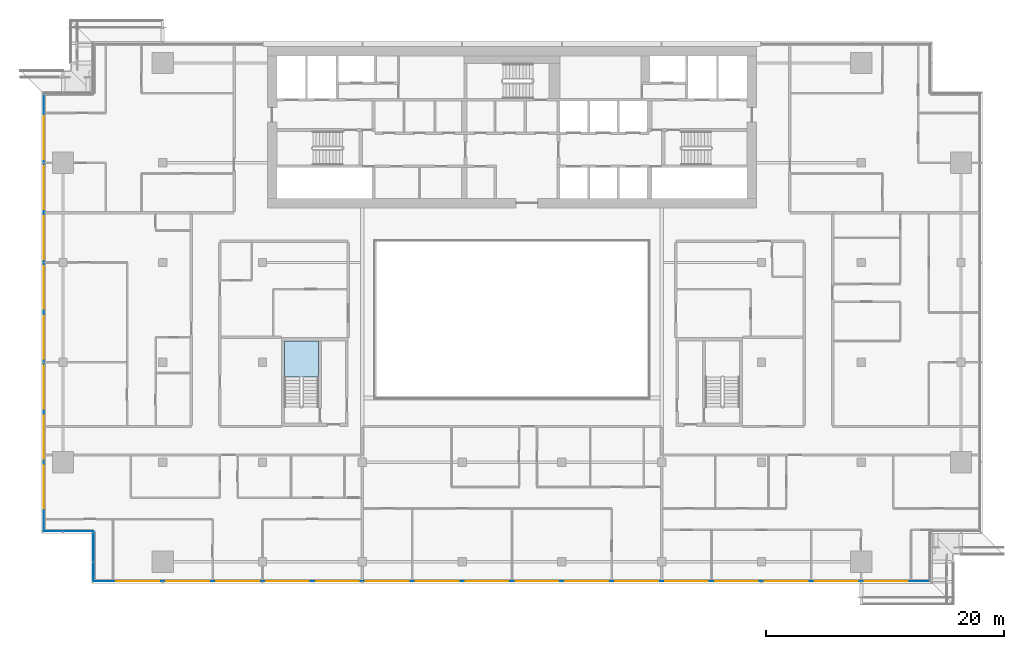
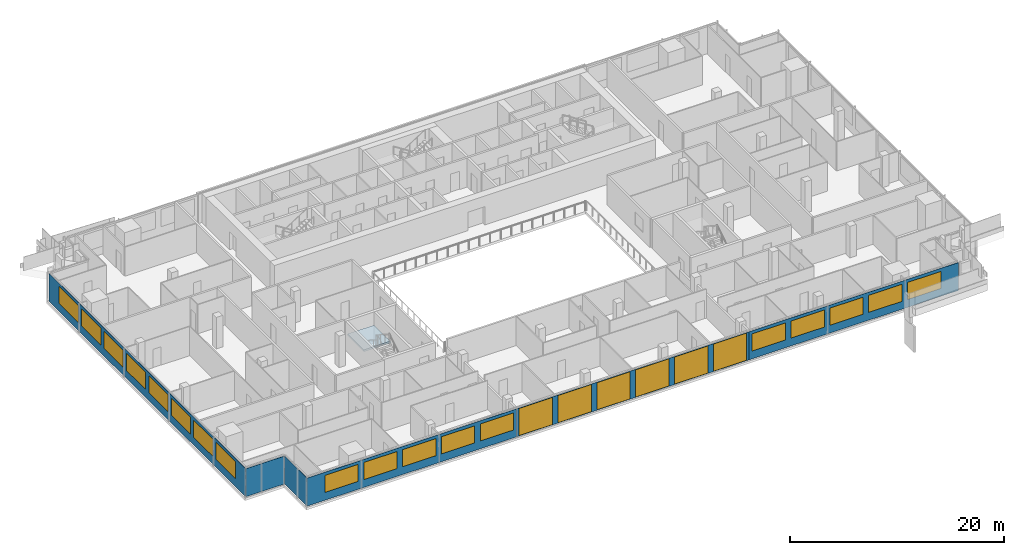
# One storey, part 16 of 30: 24 windows, 6 plates, 1 slab, 24 openings, 5 elements without a shape of their own.
"""IFC4 building model written with IfcOpenShell, lengths in metres."""

from ifc_helpers import new_model, si_unit, direction, frame, frame_2d, origin, place, context, subcontext, project, spatial, polyline, rectangle, outline, extrude, material, layer, layer_set, type_object, element, fill, aggregate, save


model = new_model("IFC4")

# Units and contexts
model_context = context("Model", 3, precision=1e-05, world=origin(), true_north=direction((0.0, 1.0)))
body_context = subcontext(model_context, "Body", "Model", "MODEL_VIEW")
ifc_project = project(units=[si_unit("LENGTHUNIT", "METRE"), si_unit("AREAUNIT", "SQUARE_METRE"), si_unit("VOLUMEUNIT", "CUBIC_METRE"), si_unit("PLANEANGLEUNIT", "RADIAN"), si_unit("MASSUNIT", "GRAM", prefix="KILO")], contexts=[model_context])

# Site, building, storey
site_placement = place(None, origin())
site = spatial("IfcSite", under=ifc_project, at=site_placement, CompositionType="ELEMENT")
building_placement = place(site_placement, origin())
building = spatial("IfcBuilding", under=site, at=building_placement, Name="Saffron Gate Tower", CompositionType="ELEMENT")
storey_placement = place(building_placement, frame((0.0, 0.0, 179.85009765625)))
storey = spatial("IfcBuildingStorey", under=building, at=storey_placement, Name="L44", CompositionType="ELEMENT", Elevation=179.85009765625)

# Curtain wall, plates, openings, windows
ifc_material_1 = material(Name="Aluminium, bronze anodised", Category="aluminium")
curtain_wall_type_1 = type_object("IfcCurtainWallType", Name="CWS1 curtain wall front facade", PredefinedType="NOTDEFINED", material=ifc_material_1)
curtain_wall_1_placement = place(storey_placement, origin())
curtain_wall_1 = element("IfcCurtainWall", 1, at=curtain_wall_1_placement, inside=storey, type_object=curtain_wall_type_1, Name="CWS1 run 1", PredefinedType="NOTDEFINED")
ifc_material_2 = material(Name="Clear low-iron laminated glass", Category="glass")
ifc_layer_1 = layer(ifc_material_2, 0.028076171875)
ifc_layer_set_1 = layer_set([ifc_layer_1], Name="CWS1 clear glass")
plate_type_1 = type_object("IfcPlateType", Name="CWS1 clear glass", PredefinedType="CURTAIN_PANEL", material=ifc_layer_set_1)
plate_1_placement = place(storey_placement, frame((75.030029296875, 30.174072265625, 0.0), z_axis=(0.0, 0.0, 1.0), x_axis=(1.0, 0.0, 0.0)))
plate_1 = element("IfcPlate", 2, at=plate_1_placement, type_object=plate_type_1, Name="CWS1 clear glass panel", PredefinedType="CURTAIN_PANEL", context=body_context, shape_type="SweptSolid", body=[
    extrude(rectangle(XDim=25.139892578125, YDim=0.028076171875, at=frame_2d((12.56982421875, 0.0))), origin(), (0.0, 0.0, 1.0), 3.199951171875),
])
opening_1_placement = place(plate_1_placement, frame((0.27001953125, 0.0, 0.050048828125)))
opening_1 = element("IfcOpeningElement", 3, at=opening_1_placement, cuts=plate_1, Name="Opening WA", PredefinedType="OPENING", context=body_context, shape_type="SweptSolid", body=[
    extrude(rectangle(XDim=3.60009765625, YDim=3.10009765625, at=frame_2d((1.800048828125, 1.550048828125))), frame((0.0, 0.02392578125, 0.0), z_axis=(0.0, -1.0, 0.0), x_axis=(1.0, 0.0, 0.0)), (0.0, 0.0, 1.0), 0.048095703125),
])
opening_2_placement = place(plate_1_placement, frame((4.469970703125, 0.0, 0.050048828125)))
opening_2 = element("IfcOpeningElement", 4, at=opening_2_placement, cuts=plate_1, Name="Opening WA", PredefinedType="OPENING", context=body_context, shape_type="SweptSolid", body=[
    extrude(rectangle(XDim=3.60009765625, YDim=3.10009765625, at=frame_2d((1.800048828125, 1.550048828125))), frame((0.0, 0.02392578125, 0.0), z_axis=(0.0, -1.0, 0.0), x_axis=(1.0, 0.0, 0.0)), (0.0, 0.0, 1.0), 0.048095703125),
])
opening_3_placement = place(plate_1_placement, frame((8.669921875, 0.0, 0.050048828125)))
opening_3 = element("IfcOpeningElement", 5, at=opening_3_placement, cuts=plate_1, Name="Opening WA", PredefinedType="OPENING", context=body_context, shape_type="SweptSolid", body=[
    extrude(rectangle(XDim=3.60009765625, YDim=3.10009765625, at=frame_2d((1.800048828125, 1.550048828125))), frame((0.0, 0.02392578125, 0.0), z_axis=(0.0, -1.0, 0.0), x_axis=(1.0, 0.0, 0.0)), (0.0, 0.0, 1.0), 0.048095703125),
])
opening_4_placement = place(plate_1_placement, frame((12.8701171875, 0.0, 0.050048828125)))
opening_4 = element("IfcOpeningElement", 6, at=opening_4_placement, cuts=plate_1, Name="Opening WA", PredefinedType="OPENING", context=body_context, shape_type="SweptSolid", body=[
    extrude(rectangle(XDim=3.60009765625, YDim=3.10009765625, at=frame_2d((1.800048828125, 1.550048828125))), frame((0.0, 0.02392578125, 0.0), z_axis=(0.0, -1.0, 0.0), x_axis=(1.0, 0.0, 0.0)), (0.0, 0.0, 1.0), 0.048095703125),
])
opening_5_placement = place(plate_1_placement, frame((17.070068359375, 0.0, 0.050048828125)))
opening_5 = element("IfcOpeningElement", 7, at=opening_5_placement, cuts=plate_1, Name="Opening WA", PredefinedType="OPENING", context=body_context, shape_type="SweptSolid", body=[
    extrude(rectangle(XDim=3.60009765625, YDim=3.10009765625, at=frame_2d((1.800048828125, 1.550048828125))), frame((0.0, 0.02392578125, 0.0), z_axis=(0.0, -1.0, 0.0), x_axis=(1.0, 0.0, 0.0)), (0.0, 0.0, 1.0), 0.048095703125),
])
opening_6_placement = place(plate_1_placement, frame((21.27001953125, 0.0, 0.050048828125)))
opening_6 = element("IfcOpeningElement", 8, at=opening_6_placement, cuts=plate_1, Name="Opening WA", PredefinedType="OPENING", context=body_context, shape_type="SweptSolid", body=[
    extrude(rectangle(XDim=3.60009765625, YDim=3.10009765625, at=frame_2d((1.800048828125, 1.550048828125))), frame((0.0, 0.02392578125, 0.0), z_axis=(0.0, -1.0, 0.0), x_axis=(1.0, 0.0, 0.0)), (0.0, 0.0, 1.0), 0.048095703125),
])
ifc_material_3 = material(Name="Clear low-iron laminated glass in bronze frame", Category="glass")
ifc_layer_2 = layer(ifc_material_3, 0.06005859375)
ifc_layer_set_2 = layer_set([ifc_layer_2], Name="WA operable atrium unit 3600x3100")
window_type_1 = type_object("IfcWindowType", Name="WA operable atrium unit 3600x3100", PartitioningType="DOUBLE_PANEL_HORIZONTAL", PredefinedType="WINDOW", material=ifc_layer_set_2)
window_1_placement = place(opening_1_placement, origin())
window_1 = element("IfcWindow", 9, at=window_1_placement, type_object=window_type_1, Name="WA operable atrium unit", OverallHeight=3.10009765625, OverallWidth=3.60009765625, PartitioningType="SINGLE_PANEL", PredefinedType="WINDOW", context=body_context, shape_type="SweptSolid", body=[
    extrude(rectangle(XDim=3.60009765625, YDim=3.10009765625, at=frame_2d((1.800048828125, 1.550048828125))), frame((0.0, 0.013671875, 0.0), z_axis=(0.0, -1.0, 0.0), x_axis=(1.0, 0.0, 0.0)), (0.0, 0.0, 1.0), 0.027587890625),
])
fill(opening_1, window_1)
window_2_placement = place(opening_2_placement, origin())
window_2 = element("IfcWindow", 10, at=window_2_placement, type_object=window_type_1, Name="WA operable atrium unit", OverallHeight=3.10009765625, OverallWidth=3.60009765625, PartitioningType="SINGLE_PANEL", PredefinedType="WINDOW", context=body_context, shape_type="SweptSolid", body=[
    extrude(rectangle(XDim=3.60009765625, YDim=3.10009765625, at=frame_2d((1.800048828125, 1.550048828125))), frame((0.0, 0.013671875, 0.0), z_axis=(0.0, -1.0, 0.0), x_axis=(1.0, 0.0, 0.0)), (0.0, 0.0, 1.0), 0.027587890625),
])
fill(opening_2, window_2)
window_3_placement = place(opening_3_placement, origin())
window_3 = element("IfcWindow", 11, at=window_3_placement, type_object=window_type_1, Name="WA operable atrium unit", OverallHeight=3.10009765625, OverallWidth=3.60009765625, PartitioningType="SINGLE_PANEL", PredefinedType="WINDOW", context=body_context, shape_type="SweptSolid", body=[
    extrude(rectangle(XDim=3.60009765625, YDim=3.10009765625, at=frame_2d((1.800048828125, 1.550048828125))), frame((0.0, 0.013671875, 0.0), z_axis=(0.0, -1.0, 0.0), x_axis=(1.0, 0.0, 0.0)), (0.0, 0.0, 1.0), 0.027587890625),
])
fill(opening_3, window_3)
window_4_placement = place(opening_4_placement, origin())
window_4 = element("IfcWindow", 12, at=window_4_placement, type_object=window_type_1, Name="WA operable atrium unit", OverallHeight=3.10009765625, OverallWidth=3.60009765625, PartitioningType="SINGLE_PANEL", PredefinedType="WINDOW", context=body_context, shape_type="SweptSolid", body=[
    extrude(rectangle(XDim=3.60009765625, YDim=3.10009765625, at=frame_2d((1.800048828125, 1.550048828125))), frame((0.0, 0.013671875, 0.0), z_axis=(0.0, -1.0, 0.0), x_axis=(1.0, 0.0, 0.0)), (0.0, 0.0, 1.0), 0.027587890625),
])
fill(opening_4, window_4)
window_5_placement = place(opening_5_placement, origin())
window_5 = element("IfcWindow", 13, at=window_5_placement, type_object=window_type_1, Name="WA operable atrium unit", OverallHeight=3.10009765625, OverallWidth=3.60009765625, PartitioningType="SINGLE_PANEL", PredefinedType="WINDOW", context=body_context, shape_type="SweptSolid", body=[
    extrude(rectangle(XDim=3.60009765625, YDim=3.10009765625, at=frame_2d((1.800048828125, 1.550048828125))), frame((0.0, 0.013671875, 0.0), z_axis=(0.0, -1.0, 0.0), x_axis=(1.0, 0.0, 0.0)), (0.0, 0.0, 1.0), 0.027587890625),
])
fill(opening_5, window_5)
window_6_placement = place(opening_6_placement, origin())
window_6 = element("IfcWindow", 14, at=window_6_placement, type_object=window_type_1, Name="WA operable atrium unit", OverallHeight=3.10009765625, OverallWidth=3.60009765625, PartitioningType="SINGLE_PANEL", PredefinedType="WINDOW", context=body_context, shape_type="SweptSolid", body=[
    extrude(rectangle(XDim=3.60009765625, YDim=3.10009765625, at=frame_2d((1.800048828125, 1.550048828125))), frame((0.0, 0.013671875, 0.0), z_axis=(0.0, -1.0, 0.0), x_axis=(1.0, 0.0, 0.0)), (0.0, 0.0, 1.0), 0.027587890625),
])
fill(opening_6, window_6)
ifc_material_4 = material(Name="Fritted bronze-tinted laminated glass", Category="glass")
ifc_layer_3 = layer(ifc_material_4, 0.028076171875)
ifc_layer_set_3 = layer_set([ifc_layer_3], Name="CWS1 fixed glass")
plate_type_2 = type_object("IfcPlateType", Name="CWS1 fixed glass", PredefinedType="CURTAIN_PANEL", material=ifc_layer_set_3)
plate_2_placement = place(storey_placement, frame((52.387939453125, 30.174072265625, 0.0), z_axis=(0.0, 0.0, 1.0), x_axis=(1.0, 0.0, 0.0)))
plate_2 = element("IfcPlate", 15, at=plate_2_placement, type_object=plate_type_2, Name="CWS1 glass panel", PredefinedType="CURTAIN_PANEL", context=body_context, shape_type="SweptSolid", body=[
    extrude(rectangle(XDim=22.64208984375, YDim=0.028076171875, at=frame_2d((11.321044921875, 0.0))), origin(), (0.0, 0.0, 1.0), 3.199951171875),
])
opening_7_placement = place(plate_2_placement, frame((1.912109375, 0.0, 0.89990234375)))
opening_7 = element("IfcOpeningElement", 16, at=opening_7_placement, cuts=plate_2, Name="Opening W1", PredefinedType="OPENING", context=body_context, shape_type="SweptSolid", body=[
    extrude(rectangle(XDim=3.60009765625, YDim=1.949951171875, at=frame_2d((1.800048828125, 0.97509765625))), frame((0.0, 0.02392578125, 0.0), z_axis=(0.0, -1.0, 0.0), x_axis=(1.0, 0.0, 0.0)), (0.0, 0.0, 1.0), 0.048095703125),
])
opening_8_placement = place(plate_2_placement, frame((6.112060546875, 0.0, 0.89990234375)))
opening_8 = element("IfcOpeningElement", 17, at=opening_8_placement, cuts=plate_2, Name="Opening W1", PredefinedType="OPENING", context=body_context, shape_type="SweptSolid", body=[
    extrude(rectangle(XDim=3.60009765625, YDim=1.949951171875, at=frame_2d((1.800048828125, 0.97509765625))), frame((0.0, 0.02392578125, 0.0), z_axis=(0.0, -1.0, 0.0), x_axis=(1.0, 0.0, 0.0)), (0.0, 0.0, 1.0), 0.048095703125),
])
opening_9_placement = place(plate_2_placement, frame((10.31201171875, 0.0, 0.89990234375)))
opening_9 = element("IfcOpeningElement", 18, at=opening_9_placement, cuts=plate_2, Name="Opening W1", PredefinedType="OPENING", context=body_context, shape_type="SweptSolid", body=[
    extrude(rectangle(XDim=3.60009765625, YDim=1.949951171875, at=frame_2d((1.800048828125, 0.97509765625))), frame((0.0, 0.02392578125, 0.0), z_axis=(0.0, -1.0, 0.0), x_axis=(1.0, 0.0, 0.0)), (0.0, 0.0, 1.0), 0.048095703125),
])
opening_10_placement = place(plate_2_placement, frame((14.511962890625, 0.0, 0.89990234375)))
opening_10 = element("IfcOpeningElement", 19, at=opening_10_placement, cuts=plate_2, Name="Opening W1", PredefinedType="OPENING", context=body_context, shape_type="SweptSolid", body=[
    extrude(rectangle(XDim=3.60009765625, YDim=1.949951171875, at=frame_2d((1.800048828125, 0.97509765625))), frame((0.0, 0.02392578125, 0.0), z_axis=(0.0, -1.0, 0.0), x_axis=(1.0, 0.0, 0.0)), (0.0, 0.0, 1.0), 0.048095703125),
])
opening_11_placement = place(plate_2_placement, frame((18.7119140625, 0.0, 0.89990234375)))
opening_11 = element("IfcOpeningElement", 20, at=opening_11_placement, cuts=plate_2, Name="Opening W1", PredefinedType="OPENING", context=body_context, shape_type="SweptSolid", body=[
    extrude(rectangle(XDim=3.60009765625, YDim=1.949951171875, at=frame_2d((1.800048828125, 0.97509765625))), frame((0.0, 0.02392578125, 0.0), z_axis=(0.0, -1.0, 0.0), x_axis=(1.0, 0.0, 0.0)), (0.0, 0.0, 1.0), 0.048095703125),
])
ifc_material_5 = material(Name="Fritted bronze-tinted laminated glass in bronze frame", Category="glass")
ifc_layer_4 = layer(ifc_material_5, 0.06005859375)
ifc_layer_set_4 = layer_set([ifc_layer_4], Name="W1 operable panel 3600x1950")
window_type_2 = type_object("IfcWindowType", Name="W1 operable panel 3600x1950", PartitioningType="DOUBLE_PANEL_HORIZONTAL", PredefinedType="WINDOW", material=ifc_layer_set_4)
window_7_placement = place(opening_7_placement, origin())
window_7 = element("IfcWindow", 21, at=window_7_placement, type_object=window_type_2, Name="W1 operable panel", OverallHeight=1.949951171875, OverallWidth=3.60009765625, PartitioningType="SINGLE_PANEL", PredefinedType="WINDOW", context=body_context, shape_type="SweptSolid", body=[
    extrude(rectangle(XDim=3.60009765625, YDim=1.949951171875, at=frame_2d((1.800048828125, 0.97509765625))), frame((0.0, 0.013671875, 0.0), z_axis=(0.0, -1.0, 0.0), x_axis=(1.0, 0.0, 0.0)), (0.0, 0.0, 1.0), 0.027587890625),
])
fill(opening_7, window_7)
window_8_placement = place(opening_8_placement, origin())
window_8 = element("IfcWindow", 22, at=window_8_placement, type_object=window_type_2, Name="W1 operable panel", OverallHeight=1.949951171875, OverallWidth=3.60009765625, PartitioningType="SINGLE_PANEL", PredefinedType="WINDOW", context=body_context, shape_type="SweptSolid", body=[
    extrude(rectangle(XDim=3.60009765625, YDim=1.949951171875, at=frame_2d((1.800048828125, 0.97509765625))), frame((0.0, 0.013671875, 0.0), z_axis=(0.0, -1.0, 0.0), x_axis=(1.0, 0.0, 0.0)), (0.0, 0.0, 1.0), 0.027587890625),
])
fill(opening_8, window_8)
window_9_placement = place(opening_9_placement, origin())
window_9 = element("IfcWindow", 23, at=window_9_placement, type_object=window_type_2, Name="W1 operable panel", OverallHeight=1.949951171875, OverallWidth=3.60009765625, PartitioningType="SINGLE_PANEL", PredefinedType="WINDOW", context=body_context, shape_type="SweptSolid", body=[
    extrude(rectangle(XDim=3.60009765625, YDim=1.949951171875, at=frame_2d((1.800048828125, 0.97509765625))), frame((0.0, 0.013671875, 0.0), z_axis=(0.0, -1.0, 0.0), x_axis=(1.0, 0.0, 0.0)), (0.0, 0.0, 1.0), 0.027587890625),
])
fill(opening_9, window_9)
window_10_placement = place(opening_10_placement, origin())
window_10 = element("IfcWindow", 24, at=window_10_placement, type_object=window_type_2, Name="W1 operable panel", OverallHeight=1.949951171875, OverallWidth=3.60009765625, PartitioningType="SINGLE_PANEL", PredefinedType="WINDOW", context=body_context, shape_type="SweptSolid", body=[
    extrude(rectangle(XDim=3.60009765625, YDim=1.949951171875, at=frame_2d((1.800048828125, 0.97509765625))), frame((0.0, 0.013671875, 0.0), z_axis=(0.0, -1.0, 0.0), x_axis=(1.0, 0.0, 0.0)), (0.0, 0.0, 1.0), 0.027587890625),
])
fill(opening_10, window_10)
window_11_placement = place(opening_11_placement, origin())
window_11 = element("IfcWindow", 25, at=window_11_placement, type_object=window_type_2, Name="W1 operable panel", OverallHeight=1.949951171875, OverallWidth=3.60009765625, PartitioningType="SINGLE_PANEL", PredefinedType="WINDOW", context=body_context, shape_type="SweptSolid", body=[
    extrude(rectangle(XDim=3.60009765625, YDim=1.949951171875, at=frame_2d((1.800048828125, 0.97509765625))), frame((0.0, 0.013671875, 0.0), z_axis=(0.0, -1.0, 0.0), x_axis=(1.0, 0.0, 0.0)), (0.0, 0.0, 1.0), 0.027587890625),
])
fill(opening_11, window_11)
plate_3_placement = place(storey_placement, frame((100.169921875, 30.174072265625, 0.0), z_axis=(0.0, 0.0, 1.0), x_axis=(1.0, 0.0, 0.0)))
plate_3 = element("IfcPlate", 26, at=plate_3_placement, type_object=plate_type_2, Name="CWS1 glass panel", PredefinedType="CURTAIN_PANEL", context=body_context, shape_type="SweptSolid", body=[
    extrude(rectangle(XDim=22.64208984375, YDim=0.028076171875, at=frame_2d((11.321044921875, 0.0))), origin(), (0.0, 0.0, 1.0), 3.199951171875),
])
opening_12_placement = place(plate_3_placement, frame((0.330078125, 0.0, 0.89990234375)))
opening_12 = element("IfcOpeningElement", 27, at=opening_12_placement, cuts=plate_3, Name="Opening W1", PredefinedType="OPENING", context=body_context, shape_type="SweptSolid", body=[
    extrude(rectangle(XDim=3.60009765625, YDim=1.949951171875, at=frame_2d((1.800048828125, 0.97509765625))), frame((0.0, 0.02392578125, 0.0), z_axis=(0.0, -1.0, 0.0), x_axis=(1.0, 0.0, 0.0)), (0.0, 0.0, 1.0), 0.048095703125),
])
opening_13_placement = place(plate_3_placement, frame((4.530029296875, 0.0, 0.89990234375)))
opening_13 = element("IfcOpeningElement", 28, at=opening_13_placement, cuts=plate_3, Name="Opening W1", PredefinedType="OPENING", context=body_context, shape_type="SweptSolid", body=[
    extrude(rectangle(XDim=3.60009765625, YDim=1.949951171875, at=frame_2d((1.800048828125, 0.97509765625))), frame((0.0, 0.02392578125, 0.0), z_axis=(0.0, -1.0, 0.0), x_axis=(1.0, 0.0, 0.0)), (0.0, 0.0, 1.0), 0.048095703125),
])
opening_14_placement = place(plate_3_placement, frame((8.72998046875, 0.0, 0.89990234375)))
opening_14 = element("IfcOpeningElement", 29, at=opening_14_placement, cuts=plate_3, Name="Opening W1", PredefinedType="OPENING", context=body_context, shape_type="SweptSolid", body=[
    extrude(rectangle(XDim=3.60009765625, YDim=1.949951171875, at=frame_2d((1.800048828125, 0.97509765625))), frame((0.0, 0.02392578125, 0.0), z_axis=(0.0, -1.0, 0.0), x_axis=(1.0, 0.0, 0.0)), (0.0, 0.0, 1.0), 0.048095703125),
])
opening_15_placement = place(plate_3_placement, frame((12.929931640625, 0.0, 0.89990234375)))
opening_15 = element("IfcOpeningElement", 30, at=opening_15_placement, cuts=plate_3, Name="Opening W1", PredefinedType="OPENING", context=body_context, shape_type="SweptSolid", body=[
    extrude(rectangle(XDim=3.60009765625, YDim=1.949951171875, at=frame_2d((1.800048828125, 0.97509765625))), frame((0.0, 0.02392578125, 0.0), z_axis=(0.0, -1.0, 0.0), x_axis=(1.0, 0.0, 0.0)), (0.0, 0.0, 1.0), 0.048095703125),
])
opening_16_placement = place(plate_3_placement, frame((17.1298828125, 0.0, 0.89990234375)))
opening_16 = element("IfcOpeningElement", 31, at=opening_16_placement, cuts=plate_3, Name="Opening W1", PredefinedType="OPENING", context=body_context, shape_type="SweptSolid", body=[
    extrude(rectangle(XDim=3.60009765625, YDim=1.949951171875, at=frame_2d((1.800048828125, 0.97509765625))), frame((0.0, 0.02392578125, 0.0), z_axis=(0.0, -1.0, 0.0), x_axis=(1.0, 0.0, 0.0)), (0.0, 0.0, 1.0), 0.048095703125),
])
window_12_placement = place(opening_12_placement, origin())
window_12 = element("IfcWindow", 32, at=window_12_placement, type_object=window_type_2, Name="W1 operable panel", OverallHeight=1.949951171875, OverallWidth=3.60009765625, PartitioningType="SINGLE_PANEL", PredefinedType="WINDOW", context=body_context, shape_type="SweptSolid", body=[
    extrude(rectangle(XDim=3.60009765625, YDim=1.949951171875, at=frame_2d((1.800048828125, 0.97509765625))), frame((0.0, 0.013671875, 0.0), z_axis=(0.0, -1.0, 0.0), x_axis=(1.0, 0.0, 0.0)), (0.0, 0.0, 1.0), 0.027587890625),
])
fill(opening_12, window_12)
window_13_placement = place(opening_13_placement, origin())
window_13 = element("IfcWindow", 33, at=window_13_placement, type_object=window_type_2, Name="W1 operable panel", OverallHeight=1.949951171875, OverallWidth=3.60009765625, PartitioningType="SINGLE_PANEL", PredefinedType="WINDOW", context=body_context, shape_type="SweptSolid", body=[
    extrude(rectangle(XDim=3.60009765625, YDim=1.949951171875, at=frame_2d((1.800048828125, 0.97509765625))), frame((0.0, 0.013671875, 0.0), z_axis=(0.0, -1.0, 0.0), x_axis=(1.0, 0.0, 0.0)), (0.0, 0.0, 1.0), 0.027587890625),
])
fill(opening_13, window_13)
window_14_placement = place(opening_14_placement, origin())
window_14 = element("IfcWindow", 34, at=window_14_placement, type_object=window_type_2, Name="W1 operable panel", OverallHeight=1.949951171875, OverallWidth=3.60009765625, PartitioningType="SINGLE_PANEL", PredefinedType="WINDOW", context=body_context, shape_type="SweptSolid", body=[
    extrude(rectangle(XDim=3.60009765625, YDim=1.949951171875, at=frame_2d((1.800048828125, 0.97509765625))), frame((0.0, 0.013671875, 0.0), z_axis=(0.0, -1.0, 0.0), x_axis=(1.0, 0.0, 0.0)), (0.0, 0.0, 1.0), 0.027587890625),
])
fill(opening_14, window_14)
window_15_placement = place(opening_15_placement, origin())
window_15 = element("IfcWindow", 35, at=window_15_placement, type_object=window_type_2, Name="W1 operable panel", OverallHeight=1.949951171875, OverallWidth=3.60009765625, PartitioningType="SINGLE_PANEL", PredefinedType="WINDOW", context=body_context, shape_type="SweptSolid", body=[
    extrude(rectangle(XDim=3.60009765625, YDim=1.949951171875, at=frame_2d((1.800048828125, 0.97509765625))), frame((0.0, 0.013671875, 0.0), z_axis=(0.0, -1.0, 0.0), x_axis=(1.0, 0.0, 0.0)), (0.0, 0.0, 1.0), 0.027587890625),
])
fill(opening_15, window_15)
window_16_placement = place(opening_16_placement, origin())
window_16 = element("IfcWindow", 36, at=window_16_placement, type_object=window_type_2, Name="W1 operable panel", OverallHeight=1.949951171875, OverallWidth=3.60009765625, PartitioningType="SINGLE_PANEL", PredefinedType="WINDOW", context=body_context, shape_type="SweptSolid", body=[
    extrude(rectangle(XDim=3.60009765625, YDim=1.949951171875, at=frame_2d((1.800048828125, 0.97509765625))), frame((0.0, 0.013671875, 0.0), z_axis=(0.0, -1.0, 0.0), x_axis=(1.0, 0.0, 0.0)), (0.0, 0.0, 1.0), 0.027587890625),
])
fill(opening_16, window_16)
aggregate(curtain_wall_1, [plate_2, plate_3, plate_1, window_7, window_8, window_9, window_10, window_11, window_12, window_13, window_14, window_15, window_16, window_1, window_2, window_3, window_4, window_5, window_6])

# Curtain wall, plate, openings, windows
curtain_wall_type_2 = type_object("IfcCurtainWallType", Name="CWS2 curtain wall side facades", PredefinedType="NOTDEFINED", material=ifc_material_1)
curtain_wall_2_placement = place(storey_placement, origin())
curtain_wall_2 = element("IfcCurtainWall", 37, at=curtain_wall_2_placement, inside=storey, type_object=curtain_wall_type_2, Name="CWS2 run 10", PredefinedType="NOTDEFINED")
ifc_layer_5 = layer(ifc_material_4, 0.028076171875)
ifc_layer_set_5 = layer_set([ifc_layer_5], Name="CWS2 fixed glass")
plate_type_3 = type_object("IfcPlateType", Name="CWS2 fixed glass", PredefinedType="CURTAIN_PANEL", material=ifc_layer_set_5)
plate_4_placement = place(storey_placement, frame((48.174072265625, 71.2119140625, 0.0), z_axis=(0.0, 0.0, 1.0), x_axis=(0.0, -1.0, 0.0)))
plate_4 = element("IfcPlate", 38, at=plate_4_placement, type_object=plate_type_3, Name="CWS2 glass panel", PredefinedType="CURTAIN_PANEL", context=body_context, shape_type="SweptSolid", body=[
    extrude(rectangle(XDim=36.823974609375, YDim=0.028076171875, at=frame_2d((18.412109375, 0.0))), origin(), (0.0, 0.0, 1.0), 3.199951171875),
])
opening_17_placement = place(plate_4_placement, frame((1.912109375, 0.0, 0.89990234375)))
opening_17 = element("IfcOpeningElement", 39, at=opening_17_placement, cuts=plate_4, Name="Opening W1", PredefinedType="OPENING", context=body_context, shape_type="SweptSolid", body=[
    extrude(rectangle(XDim=3.60009765625, YDim=1.949951171875, at=frame_2d((1.800048828125, 0.97509765625))), frame((0.0, 0.02392578125, 0.0), z_axis=(0.0, -1.0, 0.0), x_axis=(1.0, 0.0, 0.0)), (0.0, 0.0, 1.0), 0.048095703125),
])
opening_18_placement = place(plate_4_placement, frame((6.112060546875, 0.0, 0.89990234375)))
opening_18 = element("IfcOpeningElement", 40, at=opening_18_placement, cuts=plate_4, Name="Opening W1", PredefinedType="OPENING", context=body_context, shape_type="SweptSolid", body=[
    extrude(rectangle(XDim=3.60009765625, YDim=1.949951171875, at=frame_2d((1.800048828125, 0.97509765625))), frame((0.0, 0.02392578125, 0.0), z_axis=(0.0, -1.0, 0.0), x_axis=(1.0, 0.0, 0.0)), (0.0, 0.0, 1.0), 0.048095703125),
])
opening_19_placement = place(plate_4_placement, frame((10.31201171875, 0.0, 0.89990234375)))
opening_19 = element("IfcOpeningElement", 41, at=opening_19_placement, cuts=plate_4, Name="Opening W1", PredefinedType="OPENING", context=body_context, shape_type="SweptSolid", body=[
    extrude(rectangle(XDim=3.60009765625, YDim=1.949951171875, at=frame_2d((1.800048828125, 0.97509765625))), frame((0.0, 0.02392578125, 0.0), z_axis=(0.0, -1.0, 0.0), x_axis=(1.0, 0.0, 0.0)), (0.0, 0.0, 1.0), 0.048095703125),
])
opening_20_placement = place(plate_4_placement, frame((14.511962890625, 0.0, 0.89990234375)))
opening_20 = element("IfcOpeningElement", 42, at=opening_20_placement, cuts=plate_4, Name="Opening W1", PredefinedType="OPENING", context=body_context, shape_type="SweptSolid", body=[
    extrude(rectangle(XDim=3.60009765625, YDim=1.949951171875, at=frame_2d((1.800048828125, 0.97509765625))), frame((0.0, 0.02392578125, 0.0), z_axis=(0.0, -1.0, 0.0), x_axis=(1.0, 0.0, 0.0)), (0.0, 0.0, 1.0), 0.048095703125),
])
opening_21_placement = place(plate_4_placement, frame((18.7119140625, 0.0, 0.89990234375)))
opening_21 = element("IfcOpeningElement", 43, at=opening_21_placement, cuts=plate_4, Name="Opening W1", PredefinedType="OPENING", context=body_context, shape_type="SweptSolid", body=[
    extrude(rectangle(XDim=3.60009765625, YDim=1.949951171875, at=frame_2d((1.800048828125, 0.97509765625))), frame((0.0, 0.02392578125, 0.0), z_axis=(0.0, -1.0, 0.0), x_axis=(1.0, 0.0, 0.0)), (0.0, 0.0, 1.0), 0.048095703125),
])
opening_22_placement = place(plate_4_placement, frame((22.912109375, 0.0, 0.89990234375)))
opening_22 = element("IfcOpeningElement", 44, at=opening_22_placement, cuts=plate_4, Name="Opening W1", PredefinedType="OPENING", context=body_context, shape_type="SweptSolid", body=[
    extrude(rectangle(XDim=3.60009765625, YDim=1.949951171875, at=frame_2d((1.800048828125, 0.97509765625))), frame((0.0, 0.02392578125, 0.0), z_axis=(0.0, -1.0, 0.0), x_axis=(1.0, 0.0, 0.0)), (0.0, 0.0, 1.0), 0.048095703125),
])
opening_23_placement = place(plate_4_placement, frame((27.112060546875, 0.0, 0.89990234375)))
opening_23 = element("IfcOpeningElement", 45, at=opening_23_placement, cuts=plate_4, Name="Opening W1", PredefinedType="OPENING", context=body_context, shape_type="SweptSolid", body=[
    extrude(rectangle(XDim=3.60009765625, YDim=1.949951171875, at=frame_2d((1.800048828125, 0.97509765625))), frame((0.0, 0.02392578125, 0.0), z_axis=(0.0, -1.0, 0.0), x_axis=(1.0, 0.0, 0.0)), (0.0, 0.0, 1.0), 0.048095703125),
])
opening_24_placement = place(plate_4_placement, frame((31.31201171875, 0.0, 0.89990234375)))
opening_24 = element("IfcOpeningElement", 46, at=opening_24_placement, cuts=plate_4, Name="Opening W1", PredefinedType="OPENING", context=body_context, shape_type="SweptSolid", body=[
    extrude(rectangle(XDim=3.60009765625, YDim=1.949951171875, at=frame_2d((1.800048828125, 0.97509765625))), frame((0.0, 0.02392578125, 0.0), z_axis=(0.0, -1.0, 0.0), x_axis=(1.0, 0.0, 0.0)), (0.0, 0.0, 1.0), 0.048095703125),
])
window_17_placement = place(opening_17_placement, origin())
window_17 = element("IfcWindow", 47, at=window_17_placement, type_object=window_type_2, Name="W1 operable panel", OverallHeight=1.949951171875, OverallWidth=3.60009765625, PartitioningType="SINGLE_PANEL", PredefinedType="WINDOW", context=body_context, shape_type="SweptSolid", body=[
    extrude(rectangle(XDim=3.60009765625, YDim=1.949951171875, at=frame_2d((1.800048828125, 0.97509765625))), frame((0.0, 0.013671875, 0.0), z_axis=(0.0, -1.0, 0.0), x_axis=(1.0, 0.0, 0.0)), (0.0, 0.0, 1.0), 0.027587890625),
])
fill(opening_17, window_17)
window_18_placement = place(opening_18_placement, origin())
window_18 = element("IfcWindow", 48, at=window_18_placement, type_object=window_type_2, Name="W1 operable panel", OverallHeight=1.949951171875, OverallWidth=3.60009765625, PartitioningType="SINGLE_PANEL", PredefinedType="WINDOW", context=body_context, shape_type="SweptSolid", body=[
    extrude(rectangle(XDim=3.60009765625, YDim=1.949951171875, at=frame_2d((1.800048828125, 0.97509765625))), frame((0.0, 0.013671875, 0.0), z_axis=(0.0, -1.0, 0.0), x_axis=(1.0, 0.0, 0.0)), (0.0, 0.0, 1.0), 0.027587890625),
])
fill(opening_18, window_18)
window_19_placement = place(opening_19_placement, origin())
window_19 = element("IfcWindow", 49, at=window_19_placement, type_object=window_type_2, Name="W1 operable panel", OverallHeight=1.949951171875, OverallWidth=3.60009765625, PartitioningType="SINGLE_PANEL", PredefinedType="WINDOW", context=body_context, shape_type="SweptSolid", body=[
    extrude(rectangle(XDim=3.60009765625, YDim=1.949951171875, at=frame_2d((1.800048828125, 0.97509765625))), frame((0.0, 0.013671875, 0.0), z_axis=(0.0, -1.0, 0.0), x_axis=(1.0, 0.0, 0.0)), (0.0, 0.0, 1.0), 0.027587890625),
])
fill(opening_19, window_19)
window_20_placement = place(opening_20_placement, origin())
window_20 = element("IfcWindow", 50, at=window_20_placement, type_object=window_type_2, Name="W1 operable panel", OverallHeight=1.949951171875, OverallWidth=3.60009765625, PartitioningType="SINGLE_PANEL", PredefinedType="WINDOW", context=body_context, shape_type="SweptSolid", body=[
    extrude(rectangle(XDim=3.60009765625, YDim=1.949951171875, at=frame_2d((1.800048828125, 0.97509765625))), frame((0.0, 0.013671875, 0.0), z_axis=(0.0, -1.0, 0.0), x_axis=(1.0, 0.0, 0.0)), (0.0, 0.0, 1.0), 0.027587890625),
])
fill(opening_20, window_20)
window_21_placement = place(opening_21_placement, origin())
window_21 = element("IfcWindow", 51, at=window_21_placement, type_object=window_type_2, Name="W1 operable panel", OverallHeight=1.949951171875, OverallWidth=3.60009765625, PartitioningType="SINGLE_PANEL", PredefinedType="WINDOW", context=body_context, shape_type="SweptSolid", body=[
    extrude(rectangle(XDim=3.60009765625, YDim=1.949951171875, at=frame_2d((1.800048828125, 0.97509765625))), frame((0.0, 0.013671875, 0.0), z_axis=(0.0, -1.0, 0.0), x_axis=(1.0, 0.0, 0.0)), (0.0, 0.0, 1.0), 0.027587890625),
])
fill(opening_21, window_21)
window_22_placement = place(opening_22_placement, origin())
window_22 = element("IfcWindow", 52, at=window_22_placement, type_object=window_type_2, Name="W1 operable panel", OverallHeight=1.949951171875, OverallWidth=3.60009765625, PartitioningType="SINGLE_PANEL", PredefinedType="WINDOW", context=body_context, shape_type="SweptSolid", body=[
    extrude(rectangle(XDim=3.60009765625, YDim=1.949951171875, at=frame_2d((1.800048828125, 0.97509765625))), frame((0.0, 0.013671875, 0.0), z_axis=(0.0, -1.0, 0.0), x_axis=(1.0, 0.0, 0.0)), (0.0, 0.0, 1.0), 0.027587890625),
])
fill(opening_22, window_22)
window_23_placement = place(opening_23_placement, origin())
window_23 = element("IfcWindow", 53, at=window_23_placement, type_object=window_type_2, Name="W1 operable panel", OverallHeight=1.949951171875, OverallWidth=3.60009765625, PartitioningType="SINGLE_PANEL", PredefinedType="WINDOW", context=body_context, shape_type="SweptSolid", body=[
    extrude(rectangle(XDim=3.60009765625, YDim=1.949951171875, at=frame_2d((1.800048828125, 0.97509765625))), frame((0.0, 0.013671875, 0.0), z_axis=(0.0, -1.0, 0.0), x_axis=(1.0, 0.0, 0.0)), (0.0, 0.0, 1.0), 0.027587890625),
])
fill(opening_23, window_23)
window_24_placement = place(opening_24_placement, origin())
window_24 = element("IfcWindow", 54, at=window_24_placement, type_object=window_type_2, Name="W1 operable panel", OverallHeight=1.949951171875, OverallWidth=3.60009765625, PartitioningType="SINGLE_PANEL", PredefinedType="WINDOW", context=body_context, shape_type="SweptSolid", body=[
    extrude(rectangle(XDim=3.60009765625, YDim=1.949951171875, at=frame_2d((1.800048828125, 0.97509765625))), frame((0.0, 0.013671875, 0.0), z_axis=(0.0, -1.0, 0.0), x_axis=(1.0, 0.0, 0.0)), (0.0, 0.0, 1.0), 0.027587890625),
])
fill(opening_24, window_24)
aggregate(curtain_wall_2, [plate_4, window_17, window_18, window_19, window_20, window_21, window_22, window_23, window_24])

# Curtain wall, plate
curtain_wall_type_3 = type_object("IfcCurtainWallType", Name="CWS4 curtain wall corner returns", PredefinedType="NOTDEFINED", material=ifc_material_1)
curtain_wall_3_placement = place(storey_placement, origin())
curtain_wall_3 = element("IfcCurtainWall", 55, at=curtain_wall_3_placement, inside=storey, type_object=curtain_wall_type_3, Name="CWS4 run 11", PredefinedType="NOTDEFINED")
ifc_layer_6 = layer(ifc_material_4, 0.028076171875)
ifc_layer_set_6 = layer_set([ifc_layer_6], Name="CWS4 fixed glass")
plate_type_4 = type_object("IfcPlateType", Name="CWS4 fixed glass", PredefinedType="CURTAIN_PANEL", material=ifc_layer_set_6)
plate_5_placement = place(storey_placement, frame((48.18798828125, 34.3740234375, 0.0), z_axis=(0.0, 0.0, 1.0), x_axis=(1.0, 0.0, 0.0)))
plate_5 = element("IfcPlate", 56, at=plate_5_placement, type_object=plate_type_4, Name="CWS4 glass panel", PredefinedType="CURTAIN_PANEL", context=body_context, shape_type="SweptSolid", body=[
    extrude(rectangle(XDim=4.172119140625, YDim=0.028076171875, at=frame_2d((2.0859375, 0.0))), origin(), (0.0, 0.0, 1.0), 3.199951171875),
])
aggregate(curtain_wall_3, [plate_5])

curtain_wall_4_placement = place(storey_placement, origin())
curtain_wall_4 = element("IfcCurtainWall", 57, at=curtain_wall_4_placement, inside=storey, type_object=curtain_wall_type_3, Name="CWS4 run 12", PredefinedType="NOTDEFINED")
plate_6_placement = place(storey_placement, frame((52.3740234375, 34.360107421875, 0.0), z_axis=(0.0, 0.0, 1.0), x_axis=(0.0, -1.0, 0.0)))
plate_6 = element("IfcPlate", 58, at=plate_6_placement, type_object=plate_type_4, Name="CWS4 glass panel", PredefinedType="CURTAIN_PANEL", context=body_context, shape_type="SweptSolid", body=[
    extrude(rectangle(XDim=4.172119140625, YDim=0.028076171875, at=frame_2d((2.0859375, 0.0))), origin(), (0.0, 0.0, 1.0), 3.199951171875),
])
aggregate(curtain_wall_4, [plate_6])

# Stair, slab
ifc_material_6 = material(Name="Concrete C40", Category="concrete")
stair_type = type_object("IfcStairType", Name="ST7 Stair 1350 wide, 20 risers of 180", PredefinedType="HALF_TURN_STAIR", material=ifc_material_6)
stair_placement = place(storey_placement, origin())
stair = element("IfcStair", 59, at=stair_placement, inside=storey, type_object=stair_type, Name="L44 Exit stair D", PredefinedType="HALF_TURN_STAIR")
ifc_layer_7 = layer(ifc_material_6, 0.199951171875)
ifc_layer_set_7 = layer_set([ifc_layer_7], Name="SL1 Stair landing 200")
slab_type = type_object("IfcSlabType", Name="SL1 Stair landing 200", PredefinedType="LANDING", material=ifc_layer_set_7)
slab_placement = place(storey_placement, frame((0.0, 0.0, 1.599853515625)))
slab = element("IfcSlab", 60, at=slab_placement, type_object=slab_type, Name="ST-D landing 1", PredefinedType="LANDING", context=body_context, shape_type="SweptSolid", body=[
    extrude(outline(polyline([(71.300048828125, 47.3701171875), (71.300048828125, 50.39990234375), (68.449951171875, 50.39990234375), (68.449951171875, 47.3701171875), (71.300048828125, 47.3701171875)])), origin(), (0.0, 0.0, 1.0), 0.199951171875),
])
aggregate(stair, [slab])

save(model, "model.ifc")
